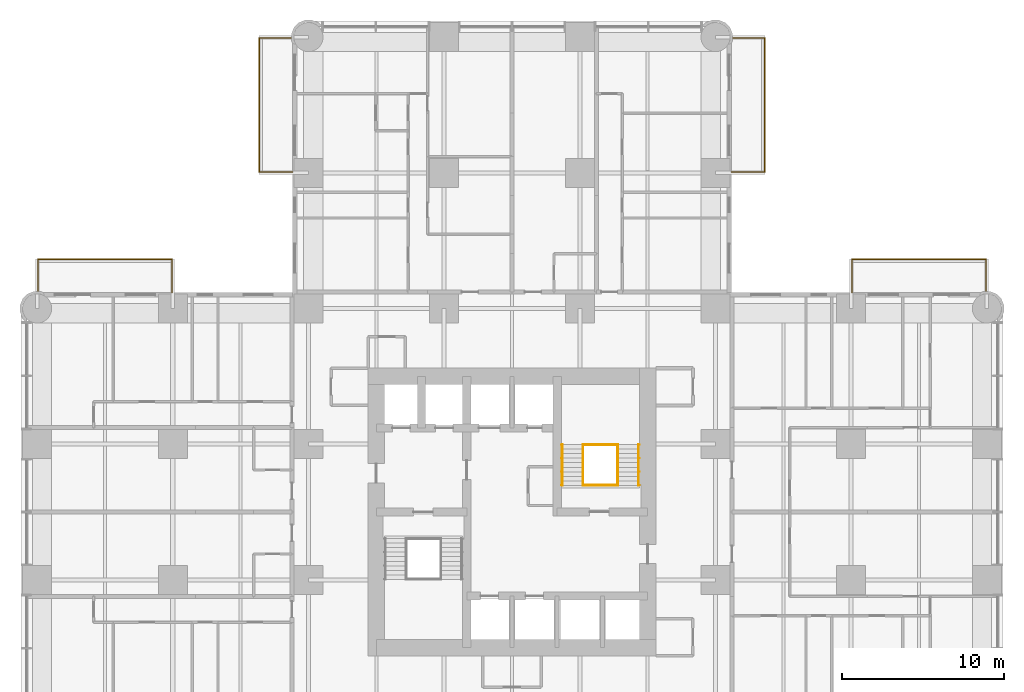
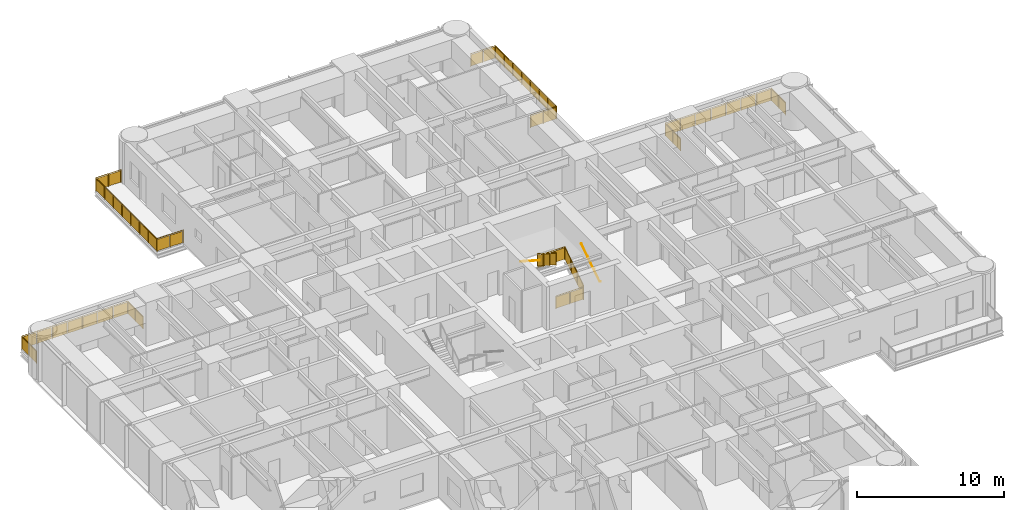
# One storey, part 17 of 17: 10 railings.
"""IFC4 building model written with IfcOpenShell, lengths in metres."""

from ifc_helpers import new_model, si_unit, direction, frame, origin, origin_2d, place, context, subcontext, project, spatial, polyline, circle, outline, extrude, material, constituent, constituent_set, type_object, element, save


model = new_model("IFC4")

# Units and contexts
model_context = context("Model", 3, precision=1e-05, world=origin(), true_north=direction((0.0, 1.0)))
body_context = subcontext(model_context, "Body", "Model", "MODEL_VIEW")
ifc_project = project(units=[si_unit("LENGTHUNIT", "METRE"), si_unit("AREAUNIT", "SQUARE_METRE"), si_unit("VOLUMEUNIT", "CUBIC_METRE"), si_unit("PLANEANGLEUNIT", "RADIAN"), si_unit("MASSUNIT", "GRAM", prefix="KILO")], contexts=[model_context])

# Site, building, storey
site_placement = place(None, origin())
site = spatial("IfcSite", under=ifc_project, at=site_placement, CompositionType="ELEMENT")
building_placement = place(site_placement, origin())
building = spatial("IfcBuilding", under=site, at=building_placement, Name="Torre Alcanfor", CompositionType="ELEMENT")
storey_placement = place(building_placement, frame((0.0, 0.0, 66.89990234375)))
storey = spatial("IfcBuildingStorey", under=building, at=storey_placement, Name="L16", CompositionType="ELEMENT", Elevation=66.89990234375)

# Railings
ifc_material_1 = material(Name="Laminated safety glass", Category="glass")
ifc_constituent_1 = constituent(ifc_material_1, Name="Infill")
ifc_material_2 = material(Name="Stainless steel ASTM A554 Grade MT 316L tube", Category="steel")
ifc_constituent_2 = constituent(ifc_material_2, Name="Posts and rail")
ifc_constituent_set = constituent_set(constituents=[ifc_constituent_1, ifc_constituent_2], Name="Balcony guard glass 1100")
railing_type_1 = type_object("IfcRailingType", Name="Balcony guard glass 1100", PredefinedType="BALUSTRADE", material=ifc_constituent_set)
railing_1_placement = place(storey_placement, frame((15.800048828125, 50.449951171875, 0.0)))
element("IfcRailing", 1, at=railing_1_placement, inside=storey, type_object=railing_type_1, Name="Balcony guard L16-N1", PredefinedType="BALUSTRADE", context=body_context, shape_type="SweptSolid", body=[
    extrude(circle(Radius=0.02392578125, at=origin_2d()), frame((0.0, 0.0, 1.076171875), z_axis=(-1.0, 0.0, 0.0), x_axis=(0.0, -1.0, 0.0)), (0.0, 0.0, 1.0), 2.050048828125),
    extrude(circle(Radius=0.02392578125, at=origin_2d()), frame((-2.050048828125, 0.0, 1.076171875), z_axis=(0.0, 1.0, 0.0), x_axis=(-1.0, 0.0, 0.0)), (0.0, 0.0, 1.0), 8.300048828125),
    extrude(circle(Radius=0.02392578125, at=origin_2d()), frame((-2.050048828125, 8.300048828125, 1.076171875), z_axis=(1.0, 0.0, 0.0), x_axis=(0.0, 1.0, 0.0)), (0.0, 0.0, 1.0), 1.968994140625),
    extrude(circle(Radius=0.02099609375, at=origin_2d()), origin(), (0.0, 0.0, 1.0), 1.052001953125),
    extrude(circle(Radius=0.02099609375, at=origin_2d()), frame((-1.02490234375, 0.0, 0.0)), (0.0, 0.0, 1.0), 1.052001953125),
    extrude(circle(Radius=0.02099609375, at=origin_2d()), frame((-2.050048828125, 0.0, 0.0)), (0.0, 0.0, 1.0), 1.052001953125),
    extrude(circle(Radius=0.02099609375, at=origin_2d()), frame((-2.050048828125, 1.185791015625, 0.0)), (0.0, 0.0, 1.0), 1.052001953125),
    extrude(circle(Radius=0.02099609375, at=origin_2d()), frame((-2.050048828125, 2.371337890625, 0.0)), (0.0, 0.0, 1.0), 1.052001953125),
    extrude(circle(Radius=0.02099609375, at=origin_2d()), frame((-2.050048828125, 3.55712890625, 0.0)), (0.0, 0.0, 1.0), 1.052001953125),
    extrude(circle(Radius=0.02099609375, at=origin_2d()), frame((-2.050048828125, 4.742919921875, 0.0)), (0.0, 0.0, 1.0), 1.052001953125),
    extrude(circle(Radius=0.02099609375, at=origin_2d()), frame((-2.050048828125, 5.9287109375, 0.0)), (0.0, 0.0, 1.0), 1.052001953125),
    extrude(circle(Radius=0.02099609375, at=origin_2d()), frame((-2.050048828125, 7.1142578125, 0.0)), (0.0, 0.0, 1.0), 1.052001953125),
    extrude(circle(Radius=0.02099609375, at=origin_2d()), frame((-2.050048828125, 8.300048828125, 0.0)), (0.0, 0.0, 1.0), 1.052001953125),
    extrude(circle(Radius=0.02099609375, at=origin_2d()), frame((-1.0654296875, 8.300048828125, 0.0)), (0.0, 0.0, 1.0), 1.052001953125),
    extrude(circle(Radius=0.02099609375, at=origin_2d()), frame((-0.0810546875, 8.300048828125, 0.0)), (0.0, 0.0, 1.0), 1.052001953125),
    extrude(outline(polyline([(0.041015625, 0.050048828125), (0.984130859375, 0.050048828125), (0.984130859375, 1.001953125), (0.041015625, 1.001953125), (0.041015625, 0.050048828125)])), frame((0.0, -0.005859375, 0.0), z_axis=(0.0, 1.0, 0.0), x_axis=(-1.0, 0.0, 0.0)), (0.0, 0.0, 1.0), 0.011962890625),
    extrude(outline(polyline([(1.06591796875, 0.050048828125), (2.009033203125, 0.050048828125), (2.009033203125, 1.001953125), (1.06591796875, 1.001953125), (1.06591796875, 0.050048828125)])), frame((0.0, -0.005859375, 0.0), z_axis=(0.0, 1.0, 0.0), x_axis=(-1.0, 0.0, 0.0)), (0.0, 0.0, 1.0), 0.011962890625),
    extrude(outline(polyline([(0.041015625, 0.050048828125), (1.144775390625, 0.050048828125), (1.144775390625, 1.001953125), (0.041015625, 1.001953125), (0.041015625, 0.050048828125)])), frame((-2.05615234375, 0.0, 0.0), z_axis=(1.0, 0.0, 0.0), x_axis=(0.0, 1.0, 0.0)), (0.0, 0.0, 1.0), 0.011962890625),
    extrude(outline(polyline([(1.226806640625, 0.050048828125), (2.330322265625, 0.050048828125), (2.330322265625, 1.001953125), (1.226806640625, 1.001953125), (1.226806640625, 0.050048828125)])), frame((-2.05615234375, 0.0, 0.0), z_axis=(1.0, 0.0, 0.0), x_axis=(0.0, 1.0, 0.0)), (0.0, 0.0, 1.0), 0.011962890625),
    extrude(outline(polyline([(2.412353515625, 0.050048828125), (3.51611328125, 0.050048828125), (3.51611328125, 1.001953125), (2.412353515625, 1.001953125), (2.412353515625, 0.050048828125)])), frame((-2.05615234375, 0.0, 0.0), z_axis=(1.0, 0.0, 0.0), x_axis=(0.0, 1.0, 0.0)), (0.0, 0.0, 1.0), 0.011962890625),
    extrude(outline(polyline([(3.59814453125, 0.050048828125), (4.701904296875, 0.050048828125), (4.701904296875, 1.001953125), (3.59814453125, 1.001953125), (3.59814453125, 0.050048828125)])), frame((-2.05615234375, 0.0, 0.0), z_axis=(1.0, 0.0, 0.0), x_axis=(0.0, 1.0, 0.0)), (0.0, 0.0, 1.0), 0.011962890625),
    extrude(outline(polyline([(4.783935546875, 0.050048828125), (5.8876953125, 0.050048828125), (5.8876953125, 1.001953125), (4.783935546875, 1.001953125), (4.783935546875, 0.050048828125)])), frame((-2.05615234375, 0.0, 0.0), z_axis=(1.0, 0.0, 0.0), x_axis=(0.0, 1.0, 0.0)), (0.0, 0.0, 1.0), 0.011962890625),
    extrude(outline(polyline([(5.9697265625, 0.050048828125), (7.0732421875, 0.050048828125), (7.0732421875, 1.001953125), (5.9697265625, 1.001953125), (5.9697265625, 0.050048828125)])), frame((-2.05615234375, 0.0, 0.0), z_axis=(1.0, 0.0, 0.0), x_axis=(0.0, 1.0, 0.0)), (0.0, 0.0, 1.0), 0.011962890625),
    extrude(outline(polyline([(7.1552734375, 0.050048828125), (8.259033203125, 0.050048828125), (8.259033203125, 1.001953125), (7.1552734375, 1.001953125), (7.1552734375, 0.050048828125)])), frame((-2.05615234375, 0.0, 0.0), z_axis=(1.0, 0.0, 0.0), x_axis=(0.0, 1.0, 0.0)), (0.0, 0.0, 1.0), 0.011962890625),
    extrude(outline(polyline([(0.041015625, 0.050048828125), (0.943603515625, 0.050048828125), (0.943603515625, 1.001953125), (0.041015625, 1.001953125), (0.041015625, 0.050048828125)])), frame((-2.050048828125, 8.30615234375, 0.0), z_axis=(0.0, -1.0, 0.0), x_axis=(1.0, 0.0, 0.0)), (0.0, 0.0, 1.0), 0.011962890625),
    extrude(outline(polyline([(1.025390625, 0.050048828125), (1.927978515625, 0.050048828125), (1.927978515625, 1.001953125), (1.025390625, 1.001953125), (1.025390625, 0.050048828125)])), frame((-2.050048828125, 8.30615234375, 0.0), z_axis=(0.0, -1.0, 0.0), x_axis=(1.0, 0.0, 0.0)), (0.0, 0.0, 1.0), 0.011962890625),
])
railing_2_placement = place(storey_placement, frame((43.0, 50.449951171875, 0.0)))
element("IfcRailing", 2, at=railing_2_placement, inside=storey, type_object=railing_type_1, Name="Balcony guard L16-N2", PredefinedType="BALUSTRADE", context=body_context, shape_type="SweptSolid", body=[
    extrude(circle(Radius=0.02392578125, at=origin_2d()), frame((0.0, 0.0, 1.076171875), z_axis=(1.0, 0.0, 0.0), x_axis=(0.0, 1.0, 0.0)), (0.0, 0.0, 1.0), 2.050048828125),
    extrude(circle(Radius=0.02392578125, at=origin_2d()), frame((2.050048828125, 0.0, 1.076171875), z_axis=(0.0, 1.0, 0.0), x_axis=(-1.0, 0.0, 0.0)), (0.0, 0.0, 1.0), 8.300048828125),
    extrude(circle(Radius=0.02392578125, at=origin_2d()), frame((2.050048828125, 8.300048828125, 1.076171875), z_axis=(-1.0, 0.0, 0.0), x_axis=(0.0, -1.0, 0.0)), (0.0, 0.0, 1.0), 1.968994140625),
    extrude(circle(Radius=0.02099609375, at=origin_2d()), origin(), (0.0, 0.0, 1.0), 1.052001953125),
    extrude(circle(Radius=0.02099609375, at=origin_2d()), frame((1.02490234375, 0.0, 0.0)), (0.0, 0.0, 1.0), 1.052001953125),
    extrude(circle(Radius=0.02099609375, at=origin_2d()), frame((2.050048828125, 0.0, 0.0)), (0.0, 0.0, 1.0), 1.052001953125),
    extrude(circle(Radius=0.02099609375, at=origin_2d()), frame((2.050048828125, 1.185791015625, 0.0)), (0.0, 0.0, 1.0), 1.052001953125),
    extrude(circle(Radius=0.02099609375, at=origin_2d()), frame((2.050048828125, 2.371337890625, 0.0)), (0.0, 0.0, 1.0), 1.052001953125),
    extrude(circle(Radius=0.02099609375, at=origin_2d()), frame((2.050048828125, 3.55712890625, 0.0)), (0.0, 0.0, 1.0), 1.052001953125),
    extrude(circle(Radius=0.02099609375, at=origin_2d()), frame((2.050048828125, 4.742919921875, 0.0)), (0.0, 0.0, 1.0), 1.052001953125),
    extrude(circle(Radius=0.02099609375, at=origin_2d()), frame((2.050048828125, 5.9287109375, 0.0)), (0.0, 0.0, 1.0), 1.052001953125),
    extrude(circle(Radius=0.02099609375, at=origin_2d()), frame((2.050048828125, 7.1142578125, 0.0)), (0.0, 0.0, 1.0), 1.052001953125),
    extrude(circle(Radius=0.02099609375, at=origin_2d()), frame((2.050048828125, 8.300048828125, 0.0)), (0.0, 0.0, 1.0), 1.052001953125),
    extrude(circle(Radius=0.02099609375, at=origin_2d()), frame((1.0654296875, 8.300048828125, 0.0)), (0.0, 0.0, 1.0), 1.052001953125),
    extrude(circle(Radius=0.02099609375, at=origin_2d()), frame((0.0810546875, 8.300048828125, 0.0)), (0.0, 0.0, 1.0), 1.052001953125),
    extrude(outline(polyline([(0.041015625, 0.050048828125), (0.984130859375, 0.050048828125), (0.984130859375, 1.001953125), (0.041015625, 1.001953125), (0.041015625, 0.050048828125)])), frame((0.0, 0.005859375, 0.0), z_axis=(0.0, -1.0, 0.0), x_axis=(1.0, 0.0, 0.0)), (0.0, 0.0, 1.0), 0.011962890625),
    extrude(outline(polyline([(1.06591796875, 0.050048828125), (2.009033203125, 0.050048828125), (2.009033203125, 1.001953125), (1.06591796875, 1.001953125), (1.06591796875, 0.050048828125)])), frame((0.0, 0.005859375, 0.0), z_axis=(0.0, -1.0, 0.0), x_axis=(1.0, 0.0, 0.0)), (0.0, 0.0, 1.0), 0.011962890625),
    extrude(outline(polyline([(0.041015625, 0.050048828125), (1.144775390625, 0.050048828125), (1.144775390625, 1.001953125), (0.041015625, 1.001953125), (0.041015625, 0.050048828125)])), frame((2.0439453125, 0.0, 0.0), z_axis=(1.0, 0.0, 0.0), x_axis=(0.0, 1.0, 0.0)), (0.0, 0.0, 1.0), 0.011962890625),
    extrude(outline(polyline([(1.226806640625, 0.050048828125), (2.330322265625, 0.050048828125), (2.330322265625, 1.001953125), (1.226806640625, 1.001953125), (1.226806640625, 0.050048828125)])), frame((2.0439453125, 0.0, 0.0), z_axis=(1.0, 0.0, 0.0), x_axis=(0.0, 1.0, 0.0)), (0.0, 0.0, 1.0), 0.011962890625),
    extrude(outline(polyline([(2.412353515625, 0.050048828125), (3.51611328125, 0.050048828125), (3.51611328125, 1.001953125), (2.412353515625, 1.001953125), (2.412353515625, 0.050048828125)])), frame((2.0439453125, 0.0, 0.0), z_axis=(1.0, 0.0, 0.0), x_axis=(0.0, 1.0, 0.0)), (0.0, 0.0, 1.0), 0.011962890625),
    extrude(outline(polyline([(3.59814453125, 0.050048828125), (4.701904296875, 0.050048828125), (4.701904296875, 1.001953125), (3.59814453125, 1.001953125), (3.59814453125, 0.050048828125)])), frame((2.0439453125, 0.0, 0.0), z_axis=(1.0, 0.0, 0.0), x_axis=(0.0, 1.0, 0.0)), (0.0, 0.0, 1.0), 0.011962890625),
    extrude(outline(polyline([(4.783935546875, 0.050048828125), (5.8876953125, 0.050048828125), (5.8876953125, 1.001953125), (4.783935546875, 1.001953125), (4.783935546875, 0.050048828125)])), frame((2.0439453125, 0.0, 0.0), z_axis=(1.0, 0.0, 0.0), x_axis=(0.0, 1.0, 0.0)), (0.0, 0.0, 1.0), 0.011962890625),
    extrude(outline(polyline([(5.9697265625, 0.050048828125), (7.0732421875, 0.050048828125), (7.0732421875, 1.001953125), (5.9697265625, 1.001953125), (5.9697265625, 0.050048828125)])), frame((2.0439453125, 0.0, 0.0), z_axis=(1.0, 0.0, 0.0), x_axis=(0.0, 1.0, 0.0)), (0.0, 0.0, 1.0), 0.011962890625),
    extrude(outline(polyline([(7.1552734375, 0.050048828125), (8.259033203125, 0.050048828125), (8.259033203125, 1.001953125), (7.1552734375, 1.001953125), (7.1552734375, 0.050048828125)])), frame((2.0439453125, 0.0, 0.0), z_axis=(1.0, 0.0, 0.0), x_axis=(0.0, 1.0, 0.0)), (0.0, 0.0, 1.0), 0.011962890625),
    extrude(outline(polyline([(0.041015625, 0.050048828125), (0.943603515625, 0.050048828125), (0.943603515625, 1.001953125), (0.041015625, 1.001953125), (0.041015625, 0.050048828125)])), frame((2.050048828125, 8.2939453125, 0.0), z_axis=(0.0, 1.0, 0.0), x_axis=(-1.0, 0.0, 0.0)), (0.0, 0.0, 1.0), 0.011962890625),
    extrude(outline(polyline([(1.025390625, 0.050048828125), (1.927978515625, 0.050048828125), (1.927978515625, 1.001953125), (1.025390625, 1.001953125), (1.025390625, 0.050048828125)])), frame((2.050048828125, 8.2939453125, 0.0), z_axis=(0.0, 1.0, 0.0), x_axis=(-1.0, 0.0, 0.0)), (0.0, 0.0, 1.0), 0.011962890625),
])
railing_3_placement = place(storey_placement, frame((50.449951171875, 43.0, 0.0)))
element("IfcRailing", 3, at=railing_3_placement, inside=storey, type_object=railing_type_1, Name="Balcony guard L16-E1", PredefinedType="BALUSTRADE", context=body_context, shape_type="SweptSolid", body=[
    extrude(circle(Radius=0.02392578125, at=origin_2d()), frame((0.0, 0.0, 1.076171875), z_axis=(0.0, 1.0, 0.0), x_axis=(-1.0, 0.0, 0.0)), (0.0, 0.0, 1.0), 2.050048828125),
    extrude(circle(Radius=0.02392578125, at=origin_2d()), frame((0.0, 2.050048828125, 1.076171875), z_axis=(1.0, 0.0, 0.0), x_axis=(0.0, 1.0, 0.0)), (0.0, 0.0, 1.0), 8.300048828125),
    extrude(circle(Radius=0.02392578125, at=origin_2d()), frame((8.300048828125, 2.050048828125, 1.076171875), z_axis=(0.0, -1.0, 0.0), x_axis=(1.0, 0.0, 0.0)), (0.0, 0.0, 1.0), 1.968994140625),
    extrude(circle(Radius=0.02099609375, at=origin_2d()), origin(), (0.0, 0.0, 1.0), 1.052001953125),
    extrude(circle(Radius=0.02099609375, at=origin_2d()), frame((0.0, 1.02490234375, 0.0)), (0.0, 0.0, 1.0), 1.052001953125),
    extrude(circle(Radius=0.02099609375, at=origin_2d()), frame((0.0, 2.050048828125, 0.0)), (0.0, 0.0, 1.0), 1.052001953125),
    extrude(circle(Radius=0.02099609375, at=origin_2d()), frame((1.185791015625, 2.050048828125, 0.0)), (0.0, 0.0, 1.0), 1.052001953125),
    extrude(circle(Radius=0.02099609375, at=origin_2d()), frame((2.371337890625, 2.050048828125, 0.0)), (0.0, 0.0, 1.0), 1.052001953125),
    extrude(circle(Radius=0.02099609375, at=origin_2d()), frame((3.55712890625, 2.050048828125, 0.0)), (0.0, 0.0, 1.0), 1.052001953125),
    extrude(circle(Radius=0.02099609375, at=origin_2d()), frame((4.742919921875, 2.050048828125, 0.0)), (0.0, 0.0, 1.0), 1.052001953125),
    extrude(circle(Radius=0.02099609375, at=origin_2d()), frame((5.9287109375, 2.050048828125, 0.0)), (0.0, 0.0, 1.0), 1.052001953125),
    extrude(circle(Radius=0.02099609375, at=origin_2d()), frame((7.1142578125, 2.050048828125, 0.0)), (0.0, 0.0, 1.0), 1.052001953125),
    extrude(circle(Radius=0.02099609375, at=origin_2d()), frame((8.300048828125, 2.050048828125, 0.0)), (0.0, 0.0, 1.0), 1.052001953125),
    extrude(circle(Radius=0.02099609375, at=origin_2d()), frame((8.300048828125, 1.0654296875, 0.0)), (0.0, 0.0, 1.0), 1.052001953125),
    extrude(circle(Radius=0.02099609375, at=origin_2d()), frame((8.300048828125, 0.0810546875, 0.0)), (0.0, 0.0, 1.0), 1.052001953125),
    extrude(outline(polyline([(0.041015625, 0.050048828125), (0.984130859375, 0.050048828125), (0.984130859375, 1.001953125), (0.041015625, 1.001953125), (0.041015625, 0.050048828125)])), frame((-0.005859375, 0.0, 0.0), z_axis=(1.0, 0.0, 0.0), x_axis=(0.0, 1.0, 0.0)), (0.0, 0.0, 1.0), 0.011962890625),
    extrude(outline(polyline([(1.06591796875, 0.050048828125), (2.009033203125, 0.050048828125), (2.009033203125, 1.001953125), (1.06591796875, 1.001953125), (1.06591796875, 0.050048828125)])), frame((-0.005859375, 0.0, 0.0), z_axis=(1.0, 0.0, 0.0), x_axis=(0.0, 1.0, 0.0)), (0.0, 0.0, 1.0), 0.011962890625),
    extrude(outline(polyline([(0.041015625, 0.050048828125), (1.144775390625, 0.050048828125), (1.144775390625, 1.001953125), (0.041015625, 1.001953125), (0.041015625, 0.050048828125)])), frame((0.0, 2.05615234375, 0.0), z_axis=(0.0, -1.0, 0.0), x_axis=(1.0, 0.0, 0.0)), (0.0, 0.0, 1.0), 0.011962890625),
    extrude(outline(polyline([(1.226806640625, 0.050048828125), (2.330322265625, 0.050048828125), (2.330322265625, 1.001953125), (1.226806640625, 1.001953125), (1.226806640625, 0.050048828125)])), frame((0.0, 2.05615234375, 0.0), z_axis=(0.0, -1.0, 0.0), x_axis=(1.0, 0.0, 0.0)), (0.0, 0.0, 1.0), 0.011962890625),
    extrude(outline(polyline([(2.412353515625, 0.050048828125), (3.51611328125, 0.050048828125), (3.51611328125, 1.001953125), (2.412353515625, 1.001953125), (2.412353515625, 0.050048828125)])), frame((0.0, 2.05615234375, 0.0), z_axis=(0.0, -1.0, 0.0), x_axis=(1.0, 0.0, 0.0)), (0.0, 0.0, 1.0), 0.011962890625),
    extrude(outline(polyline([(3.59814453125, 0.050048828125), (4.701904296875, 0.050048828125), (4.701904296875, 1.001953125), (3.59814453125, 1.001953125), (3.59814453125, 0.050048828125)])), frame((0.0, 2.05615234375, 0.0), z_axis=(0.0, -1.0, 0.0), x_axis=(1.0, 0.0, 0.0)), (0.0, 0.0, 1.0), 0.011962890625),
    extrude(outline(polyline([(4.783935546875, 0.050048828125), (5.8876953125, 0.050048828125), (5.8876953125, 1.001953125), (4.783935546875, 1.001953125), (4.783935546875, 0.050048828125)])), frame((0.0, 2.05615234375, 0.0), z_axis=(0.0, -1.0, 0.0), x_axis=(1.0, 0.0, 0.0)), (0.0, 0.0, 1.0), 0.011962890625),
    extrude(outline(polyline([(5.9697265625, 0.050048828125), (7.0732421875, 0.050048828125), (7.0732421875, 1.001953125), (5.9697265625, 1.001953125), (5.9697265625, 0.050048828125)])), frame((0.0, 2.05615234375, 0.0), z_axis=(0.0, -1.0, 0.0), x_axis=(1.0, 0.0, 0.0)), (0.0, 0.0, 1.0), 0.011962890625),
    extrude(outline(polyline([(7.1552734375, 0.050048828125), (8.259033203125, 0.050048828125), (8.259033203125, 1.001953125), (7.1552734375, 1.001953125), (7.1552734375, 0.050048828125)])), frame((0.0, 2.05615234375, 0.0), z_axis=(0.0, -1.0, 0.0), x_axis=(1.0, 0.0, 0.0)), (0.0, 0.0, 1.0), 0.011962890625),
    extrude(outline(polyline([(0.041015625, 0.050048828125), (0.943603515625, 0.050048828125), (0.943603515625, 1.001953125), (0.041015625, 1.001953125), (0.041015625, 0.050048828125)])), frame((8.30615234375, 2.050048828125, 0.0), z_axis=(-1.0, 0.0, 0.0), x_axis=(0.0, -1.0, 0.0)), (0.0, 0.0, 1.0), 0.011962890625),
    extrude(outline(polyline([(1.025390625, 0.050048828125), (1.927978515625, 0.050048828125), (1.927978515625, 1.001953125), (1.025390625, 1.001953125), (1.025390625, 0.050048828125)])), frame((8.30615234375, 2.050048828125, 0.0), z_axis=(-1.0, 0.0, 0.0), x_axis=(0.0, -1.0, 0.0)), (0.0, 0.0, 1.0), 0.011962890625),
])
railing_4_placement = place(storey_placement, frame((8.35009765625, 43.0, 0.0)))
element("IfcRailing", 4, at=railing_4_placement, inside=storey, type_object=railing_type_1, Name="Balcony guard L16-W2", PredefinedType="BALUSTRADE", context=body_context, shape_type="SweptSolid", body=[
    extrude(circle(Radius=0.02392578125, at=origin_2d()), frame((0.0, 0.0, 1.076171875), z_axis=(0.0, 1.0, 0.0), x_axis=(-1.0, 0.0, 0.0)), (0.0, 0.0, 1.0), 2.050048828125),
    extrude(circle(Radius=0.02392578125, at=origin_2d()), frame((0.0, 2.050048828125, 1.076171875), z_axis=(-1.0, 0.0, 0.0), x_axis=(0.0, -1.0, 0.0)), (0.0, 0.0, 1.0), 8.300048828125),
    extrude(circle(Radius=0.02392578125, at=origin_2d()), frame((-8.300048828125, 2.050048828125, 1.076171875), z_axis=(0.0, -1.0, 0.0), x_axis=(1.0, 0.0, 0.0)), (0.0, 0.0, 1.0), 1.968994140625),
    extrude(circle(Radius=0.02099609375, at=origin_2d()), origin(), (0.0, 0.0, 1.0), 1.052001953125),
    extrude(circle(Radius=0.02099609375, at=origin_2d()), frame((0.0, 1.02490234375, 0.0)), (0.0, 0.0, 1.0), 1.052001953125),
    extrude(circle(Radius=0.02099609375, at=origin_2d()), frame((0.0, 2.050048828125, 0.0)), (0.0, 0.0, 1.0), 1.052001953125),
    extrude(circle(Radius=0.02099609375, at=origin_2d()), frame((-1.185791015625, 2.050048828125, 0.0)), (0.0, 0.0, 1.0), 1.052001953125),
    extrude(circle(Radius=0.02099609375, at=origin_2d()), frame((-2.371337890625, 2.050048828125, 0.0)), (0.0, 0.0, 1.0), 1.052001953125),
    extrude(circle(Radius=0.02099609375, at=origin_2d()), frame((-3.55712890625, 2.050048828125, 0.0)), (0.0, 0.0, 1.0), 1.052001953125),
    extrude(circle(Radius=0.02099609375, at=origin_2d()), frame((-4.742919921875, 2.050048828125, 0.0)), (0.0, 0.0, 1.0), 1.052001953125),
    extrude(circle(Radius=0.02099609375, at=origin_2d()), frame((-5.9287109375, 2.050048828125, 0.0)), (0.0, 0.0, 1.0), 1.052001953125),
    extrude(circle(Radius=0.02099609375, at=origin_2d()), frame((-7.1142578125, 2.050048828125, 0.0)), (0.0, 0.0, 1.0), 1.052001953125),
    extrude(circle(Radius=0.02099609375, at=origin_2d()), frame((-8.300048828125, 2.050048828125, 0.0)), (0.0, 0.0, 1.0), 1.052001953125),
    extrude(circle(Radius=0.02099609375, at=origin_2d()), frame((-8.300048828125, 1.0654296875, 0.0)), (0.0, 0.0, 1.0), 1.052001953125),
    extrude(circle(Radius=0.02099609375, at=origin_2d()), frame((-8.300048828125, 0.0810546875, 0.0)), (0.0, 0.0, 1.0), 1.052001953125),
    extrude(outline(polyline([(0.041015625, 0.050048828125), (0.984130859375, 0.050048828125), (0.984130859375, 1.001953125), (0.041015625, 1.001953125), (0.041015625, 0.050048828125)])), frame((-0.005859375, 0.0, 0.0), z_axis=(1.0, 0.0, 0.0), x_axis=(0.0, 1.0, 0.0)), (0.0, 0.0, 1.0), 0.011962890625),
    extrude(outline(polyline([(1.06591796875, 0.050048828125), (2.009033203125, 0.050048828125), (2.009033203125, 1.001953125), (1.06591796875, 1.001953125), (1.06591796875, 0.050048828125)])), frame((-0.005859375, 0.0, 0.0), z_axis=(1.0, 0.0, 0.0), x_axis=(0.0, 1.0, 0.0)), (0.0, 0.0, 1.0), 0.011962890625),
    extrude(outline(polyline([(0.041015625, 0.050048828125), (1.144775390625, 0.050048828125), (1.144775390625, 1.001953125), (0.041015625, 1.001953125), (0.041015625, 0.050048828125)])), frame((0.0, 2.0439453125, 0.0), z_axis=(0.0, 1.0, 0.0), x_axis=(-1.0, 0.0, 0.0)), (0.0, 0.0, 1.0), 0.011962890625),
    extrude(outline(polyline([(1.226806640625, 0.050048828125), (2.330322265625, 0.050048828125), (2.330322265625, 1.001953125), (1.226806640625, 1.001953125), (1.226806640625, 0.050048828125)])), frame((0.0, 2.0439453125, 0.0), z_axis=(0.0, 1.0, 0.0), x_axis=(-1.0, 0.0, 0.0)), (0.0, 0.0, 1.0), 0.011962890625),
    extrude(outline(polyline([(2.412353515625, 0.050048828125), (3.51611328125, 0.050048828125), (3.51611328125, 1.001953125), (2.412353515625, 1.001953125), (2.412353515625, 0.050048828125)])), frame((0.0, 2.0439453125, 0.0), z_axis=(0.0, 1.0, 0.0), x_axis=(-1.0, 0.0, 0.0)), (0.0, 0.0, 1.0), 0.011962890625),
    extrude(outline(polyline([(3.59814453125, 0.050048828125), (4.701904296875, 0.050048828125), (4.701904296875, 1.001953125), (3.59814453125, 1.001953125), (3.59814453125, 0.050048828125)])), frame((0.0, 2.0439453125, 0.0), z_axis=(0.0, 1.0, 0.0), x_axis=(-1.0, 0.0, 0.0)), (0.0, 0.0, 1.0), 0.011962890625),
    extrude(outline(polyline([(4.783935546875, 0.050048828125), (5.8876953125, 0.050048828125), (5.8876953125, 1.001953125), (4.783935546875, 1.001953125), (4.783935546875, 0.050048828125)])), frame((0.0, 2.0439453125, 0.0), z_axis=(0.0, 1.0, 0.0), x_axis=(-1.0, 0.0, 0.0)), (0.0, 0.0, 1.0), 0.011962890625),
    extrude(outline(polyline([(5.9697265625, 0.050048828125), (7.0732421875, 0.050048828125), (7.0732421875, 1.001953125), (5.9697265625, 1.001953125), (5.9697265625, 0.050048828125)])), frame((0.0, 2.0439453125, 0.0), z_axis=(0.0, 1.0, 0.0), x_axis=(-1.0, 0.0, 0.0)), (0.0, 0.0, 1.0), 0.011962890625),
    extrude(outline(polyline([(7.1552734375, 0.050048828125), (8.259033203125, 0.050048828125), (8.259033203125, 1.001953125), (7.1552734375, 1.001953125), (7.1552734375, 0.050048828125)])), frame((0.0, 2.0439453125, 0.0), z_axis=(0.0, 1.0, 0.0), x_axis=(-1.0, 0.0, 0.0)), (0.0, 0.0, 1.0), 0.011962890625),
    extrude(outline(polyline([(0.041015625, 0.050048828125), (0.943603515625, 0.050048828125), (0.943603515625, 1.001953125), (0.041015625, 1.001953125), (0.041015625, 0.050048828125)])), frame((-8.2939453125, 2.050048828125, 0.0), z_axis=(-1.0, 0.0, 0.0), x_axis=(0.0, -1.0, 0.0)), (0.0, 0.0, 1.0), 0.011962890625),
    extrude(outline(polyline([(1.025390625, 0.050048828125), (1.927978515625, 0.050048828125), (1.927978515625, 1.001953125), (1.025390625, 1.001953125), (1.025390625, 0.050048828125)])), frame((-8.2939453125, 2.050048828125, 0.0), z_axis=(-1.0, 0.0, 0.0), x_axis=(0.0, -1.0, 0.0)), (0.0, 0.0, 1.0), 0.011962890625),
])
ifc_material_3 = material(Name="Steel ASTM A500 Grade C hollow sections", Category="steel")
railing_type_2 = type_object("IfcRailingType", Name="Stair guard and handrail 1100", PredefinedType="GUARDRAIL", material=ifc_material_3)
railing_5_placement = place(storey_placement, frame((35.949951171875, 31.050048828125, 0.18017578125)))
element("IfcRailing", 5, at=railing_5_placement, inside=storey, type_object=railing_type_2, Name="Stair guard S2 L16 flight 1", PredefinedType="GUARDRAIL", context=body_context, shape_type="SweptSolid", body=[
    extrude(circle(Radius=0.02392578125, at=origin_2d()), frame((0.0, 0.0, 1.076171875), z_axis=(0.0, 0.841199657755, 0.540724639528), x_axis=(-1.0, 0.0, 0.0)), (0.0, 0.0, 1.0), 2.995849609375),
    extrude(circle(Radius=0.02099609375, at=origin_2d()), origin(), (0.0, 0.0, 1.0), 1.052001953125),
    extrude(circle(Radius=0.02099609375, at=origin_2d()), frame((0.0, 0.840087890625, 0.5400390625)), (0.0, 0.0, 1.0), 1.052001953125),
    extrude(circle(Radius=0.02099609375, at=origin_2d()), frame((0.0, 1.679931640625, 1.079833984375)), (0.0, 0.0, 1.0), 1.052001953125),
    extrude(circle(Radius=0.02099609375, at=origin_2d()), frame((0.0, 2.52001953125, 1.619873046875)), (0.0, 0.0, 1.0), 1.052001953125),
    extrude(outline(polyline([(0.041015625, 0.076416015625), (0.799072265625, 0.563720703125), (0.799072265625, 1.515625), (0.041015625, 1.0283203125), (0.041015625, 0.076416015625)])), frame((-0.005859375, 0.0, 0.0), z_axis=(1.0, 0.0, 0.0), x_axis=(0.0, 1.0, 0.0)), (0.0, 0.0, 1.0), 0.011962890625),
    extrude(outline(polyline([(0.881103515625, 0.6162109375), (1.638916015625, 1.103515625), (1.638916015625, 2.0556640625), (0.881103515625, 1.568359375), (0.881103515625, 0.6162109375)])), frame((-0.005859375, 0.0, 0.0), z_axis=(1.0, 0.0, 0.0), x_axis=(0.0, 1.0, 0.0)), (0.0, 0.0, 1.0), 0.011962890625),
    extrude(outline(polyline([(1.720947265625, 1.15625), (2.47900390625, 1.6435546875), (2.47900390625, 2.595458984375), (1.720947265625, 2.108154296875), (1.720947265625, 1.15625)])), frame((-0.005859375, 0.0, 0.0), z_axis=(1.0, 0.0, 0.0), x_axis=(0.0, 1.0, 0.0)), (0.0, 0.0, 1.0), 0.011962890625),
])
railing_6_placement = place(storey_placement, frame((33.800048828125, 33.570068359375, 1.97998046875)))
element("IfcRailing", 6, at=railing_6_placement, inside=storey, type_object=railing_type_2, Name="Stair guard S2 L16 flight 2", PredefinedType="GUARDRAIL", context=body_context, shape_type="SweptSolid", body=[
    extrude(circle(Radius=0.02392578125, at=origin_2d()), frame((0.0, 0.0, 1.076171875), z_axis=(0.0, -0.841162588446, 0.540782303519), x_axis=(1.0, 0.0, 0.0)), (0.0, 0.0, 1.0), 2.995849609375),
    extrude(circle(Radius=0.02099609375, at=origin_2d()), origin(), (0.0, 0.0, 1.0), 1.052001953125),
    extrude(circle(Radius=0.02099609375, at=origin_2d()), frame((0.0, -0.840087890625, 0.5400390625)), (0.0, 0.0, 1.0), 1.052001953125),
    extrude(circle(Radius=0.02099609375, at=origin_2d()), frame((0.0, -1.679931640625, 1.080078125)), (0.0, 0.0, 1.0), 1.052001953125),
    extrude(circle(Radius=0.02099609375, at=origin_2d()), frame((0.0, -2.52001953125, 1.6201171875)), (0.0, 0.0, 1.0), 1.052001953125),
    extrude(outline(polyline([(0.041015625, 0.076416015625), (0.799072265625, 0.563720703125), (0.799072265625, 1.515625), (0.041015625, 1.0283203125), (0.041015625, 0.076416015625)])), frame((0.005859375, 0.0, 0.0), z_axis=(-1.0, 0.0, 0.0), x_axis=(0.0, -1.0, 0.0)), (0.0, 0.0, 1.0), 0.011962890625),
    extrude(outline(polyline([(0.881103515625, 0.616455078125), (1.638916015625, 1.103759765625), (1.638916015625, 2.0556640625), (0.881103515625, 1.568359375), (0.881103515625, 0.616455078125)])), frame((0.005859375, 0.0, 0.0), z_axis=(-1.0, 0.0, 0.0), x_axis=(0.0, -1.0, 0.0)), (0.0, 0.0, 1.0), 0.011962890625),
    extrude(outline(polyline([(1.720947265625, 1.156494140625), (2.47900390625, 1.643798828125), (2.47900390625, 2.595703125), (1.720947265625, 2.1083984375), (1.720947265625, 1.156494140625)])), frame((0.005859375, 0.0, 0.0), z_axis=(-1.0, 0.0, 0.0), x_axis=(0.0, -1.0, 0.0)), (0.0, 0.0, 1.0), 0.011962890625),
])
for number, where, name in (
    (7, (33.800048828125, 31.050048828125, 0.0), "Stair well guard S2 L16 floor landing"),
    (8, (33.800048828125, 33.570068359375, 1.800048828125), "Stair well guard S2 L16 half landing"),
):
    element("IfcRailing", number, at=place(storey_placement, frame(where)), inside=storey, type_object=railing_type_2, Name=name, PredefinedType="GUARDRAIL", context=body_context, shape_type="SweptSolid", body=[
        extrude(circle(Radius=0.02392578125, at=origin_2d()), frame((0.0, 0.0, 1.076171875), z_axis=(1.0, 0.0, 0.0), x_axis=(0.0, 1.0, 0.0)), (0.0, 0.0, 1.0), 2.14990234375),
        extrude(circle(Radius=0.02099609375, at=origin_2d()), origin(), (0.0, 0.0, 1.0), 1.052001953125),
        extrude(circle(Radius=0.02099609375, at=origin_2d()), frame((1.074951171875, 0.0, 0.0)), (0.0, 0.0, 1.0), 1.052001953125),
        extrude(circle(Radius=0.02099609375, at=origin_2d()), frame((2.14990234375, 0.0, 0.0)), (0.0, 0.0, 1.0), 1.052001953125),
        extrude(outline(polyline([(0.041015625, 0.050048828125), (1.033935546875, 0.050048828125), (1.033935546875, 1.001953125), (0.041015625, 1.001953125), (0.041015625, 0.050048828125)])), frame((0.0, 0.005859375, 0.0), z_axis=(0.0, -1.0, 0.0), x_axis=(1.0, 0.0, 0.0)), (0.0, 0.0, 1.0), 0.011962890625),
        extrude(outline(polyline([(1.115966796875, 0.050048828125), (2.10888671875, 0.050048828125), (2.10888671875, 1.001953125), (1.115966796875, 1.001953125), (1.115966796875, 0.050048828125)])), frame((0.0, 0.005859375, 0.0), z_axis=(0.0, -1.0, 0.0), x_axis=(1.0, 0.0, 0.0)), (0.0, 0.0, 1.0), 0.011962890625),
    ])
ifc_material_4 = material(Name="Steel ASTM A500 Grade C hollow sections", Category="steel")
railing_type_3 = type_object("IfcRailingType", Name="Stair wall handrail 900", PredefinedType="HANDRAIL", material=ifc_material_4)
railing_7_placement = place(storey_placement, frame((37.235107421875, 31.050048828125, 0.18017578125)))
element("IfcRailing", 9, at=railing_7_placement, inside=storey, type_object=railing_type_3, Name="Stair handrail S2 L16 flight 1", PredefinedType="HANDRAIL", context=body_context, shape_type="SweptSolid", body=[
    extrude(circle(Radius=0.02392578125, at=origin_2d()), frame((0.0, 0.0, 0.8759765625), z_axis=(0.0, 0.841199657755, 0.540724639528), x_axis=(-1.0, 0.0, 0.0)), (0.0, 0.0, 1.0), 2.995849609375),
    extrude(circle(Radius=0.008056640625, at=origin_2d()), frame((0.0, 0.0, 0.8759765625), z_axis=(1.0, 0.0, 0.0), x_axis=(0.0, 0.0, 1.0)), (0.0, 0.0, 1.0), 0.06494140625),
    extrude(circle(Radius=0.008056640625, at=origin_2d()), frame((0.0, 0.840087890625, 1.415771484375), z_axis=(1.0, 0.0, 0.0), x_axis=(0.0, 0.0, 1.0)), (0.0, 0.0, 1.0), 0.06494140625),
    extrude(circle(Radius=0.008056640625, at=origin_2d()), frame((0.0, 1.679931640625, 1.955810546875), z_axis=(1.0, 0.0, 0.0), x_axis=(0.0, 0.0, 1.0)), (0.0, 0.0, 1.0), 0.06494140625),
    extrude(circle(Radius=0.008056640625, at=origin_2d()), frame((0.0, 2.52001953125, 2.49560546875), z_axis=(1.0, 0.0, 0.0), x_axis=(0.0, 0.0, 1.0)), (0.0, 0.0, 1.0), 0.06494140625),
])
railing_8_placement = place(storey_placement, frame((32.514892578125, 33.570068359375, 1.97998046875)))
element("IfcRailing", 10, at=railing_8_placement, inside=storey, type_object=railing_type_3, Name="Stair handrail S2 L16 flight 2", PredefinedType="HANDRAIL", context=body_context, shape_type="SweptSolid", body=[
    extrude(circle(Radius=0.02392578125, at=origin_2d()), frame((0.0, 0.0, 0.8759765625), z_axis=(0.0, -0.841162588446, 0.540782303519), x_axis=(1.0, 0.0, 0.0)), (0.0, 0.0, 1.0), 2.995849609375),
    extrude(circle(Radius=0.008056640625, at=origin_2d()), frame((0.0, 0.0, 0.8759765625), z_axis=(-1.0, 0.0, 0.0), x_axis=(0.0, 0.0, 1.0)), (0.0, 0.0, 1.0), 0.06494140625),
    extrude(circle(Radius=0.008056640625, at=origin_2d()), frame((0.0, -0.840087890625, 1.416015625), z_axis=(-1.0, 0.0, 0.0), x_axis=(0.0, 0.0, 1.0)), (0.0, 0.0, 1.0), 0.06494140625),
    extrude(circle(Radius=0.008056640625, at=origin_2d()), frame((0.0, -1.679931640625, 1.9560546875), z_axis=(-1.0, 0.0, 0.0), x_axis=(0.0, 0.0, 1.0)), (0.0, 0.0, 1.0), 0.06494140625),
    extrude(circle(Radius=0.008056640625, at=origin_2d()), frame((0.0, -2.52001953125, 2.49609375), z_axis=(-1.0, 0.0, 0.0), x_axis=(0.0, 0.0, 1.0)), (0.0, 0.0, 1.0), 0.06494140625),
])

save(model, "model.ifc")
